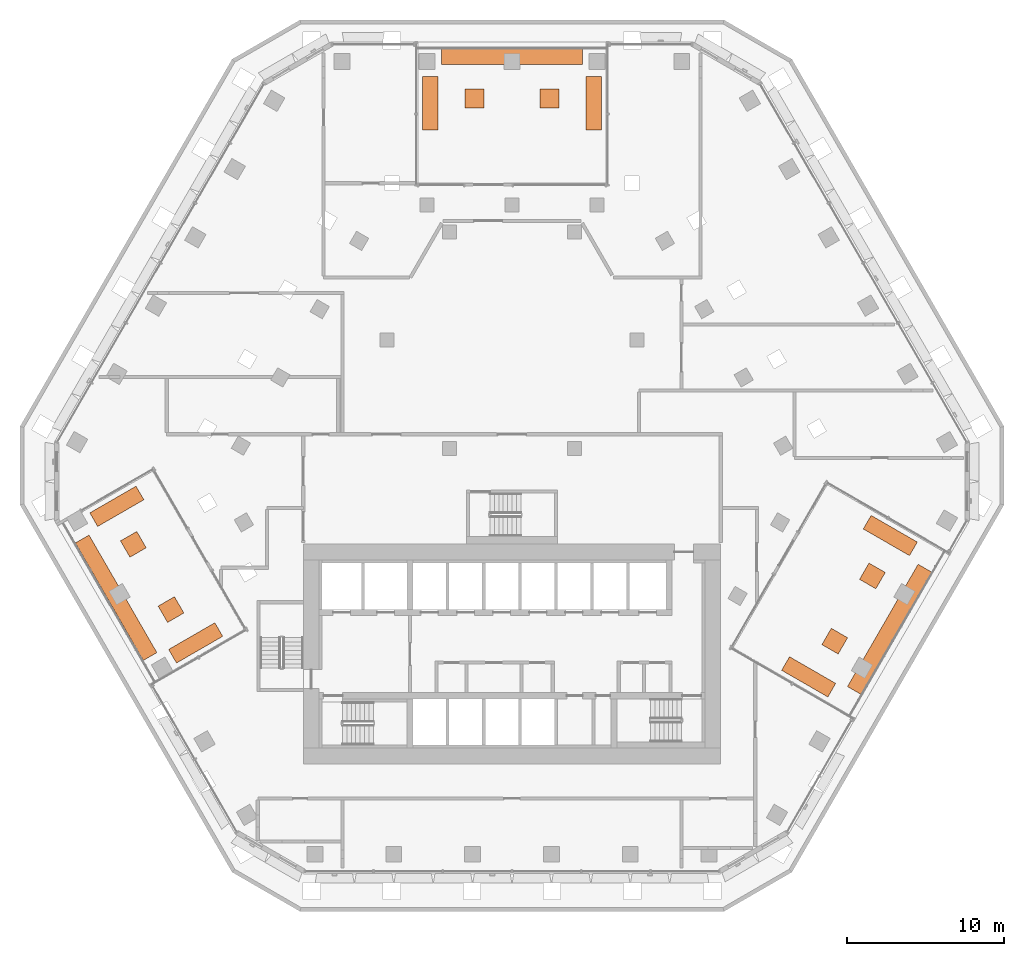
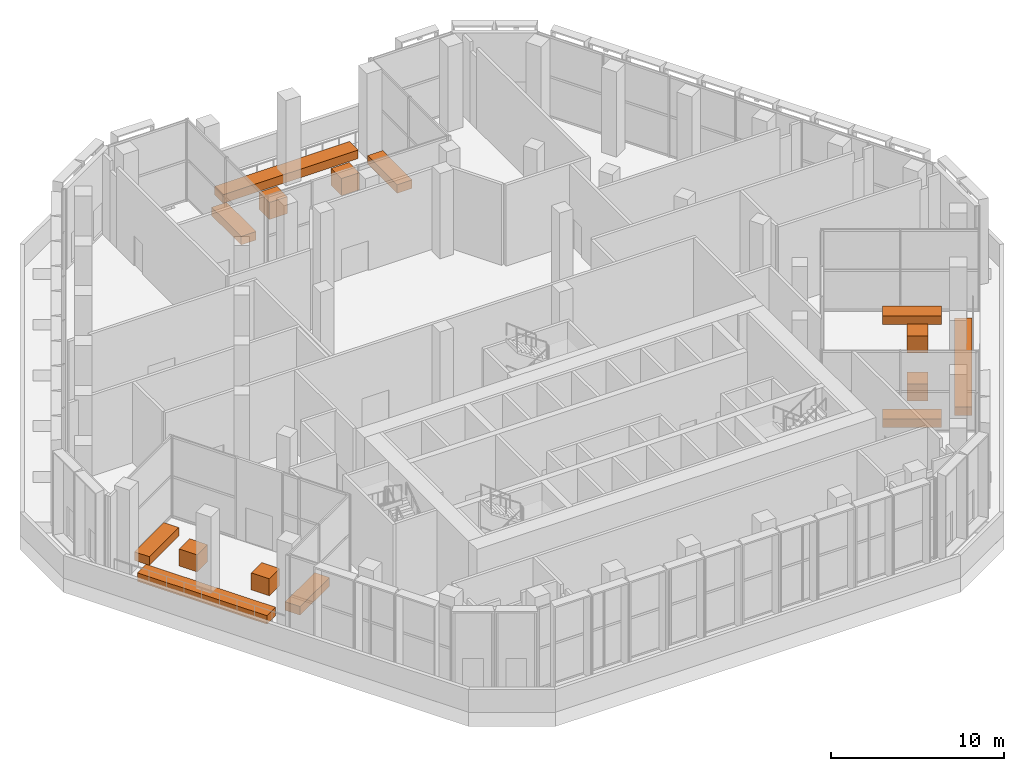
# One storey, part 23 of 23: 15 proxies.
"""IFC4 building model written with IfcOpenShell, lengths in metres."""

from ifc_helpers import new_model, si_unit, direction, frame, origin, place, context, subcontext, project, spatial, polyline, outline, extrude, material, type_object, element, save


model = new_model("IFC4")

# Units and contexts
model_context = context("Model", 3, precision=1e-05, world=origin(), true_north=direction((0.0, 1.0)))
body_context = subcontext(model_context, "Body", "Model", "MODEL_VIEW")
ifc_project = project(units=[si_unit("LENGTHUNIT", "METRE"), si_unit("AREAUNIT", "SQUARE_METRE"), si_unit("VOLUMEUNIT", "CUBIC_METRE"), si_unit("PLANEANGLEUNIT", "RADIAN"), si_unit("MASSUNIT", "GRAM", prefix="KILO")], contexts=[model_context])

# Site, building, storey
site_placement = place(None, origin())
site = spatial("IfcSite", under=ifc_project, at=site_placement, CompositionType="ELEMENT")
building_placement = place(site_placement, origin())
building = spatial("IfcBuilding", under=site, at=building_placement, Name="Beryl Residences", CompositionType="ELEMENT")
storey_placement = place(building_placement, frame((0.0, 0.0, 66.0)))
storey = spatial("IfcBuildingStorey", under=building, at=storey_placement, Name="L20", CompositionType="ELEMENT", Elevation=66.0)

# Proxies
ifc_material_1 = material(Name="Planting soil in precast concrete C40/50 trough", Category="concrete")
building_element_proxy_type_1 = type_object("IfcBuildingElementProxyType", Name="PL1 planter bed 600 mm", PredefinedType="USERDEFINED", material=ifc_material_1)
proxy_1_placement = place(storey_placement, origin())
element("IfcBuildingElementProxy", 1, at=proxy_1_placement, inside=storey, type_object=building_element_proxy_type_1, Name="PL1 planter bed L20 N 1", ObjectType="PLANTER", PredefinedType="USERDEFINED", context=body_context, shape_type="SweptSolid", body=[
    extrude(outline(polyline([(4.5, 26.550048828125), (-4.5, 26.550048828125), (-4.5, 25.550048828125), (4.5, 25.550048828125), (4.5, 26.550048828125)])), origin(), (0.0, 0.0, 1.0), 0.60009765625),
])
proxy_2_placement = place(storey_placement, origin())
element("IfcBuildingElementProxy", 2, at=proxy_2_placement, inside=storey, type_object=building_element_proxy_type_1, Name="PL1 planter bed L20 N 2", ObjectType="PLANTER", PredefinedType="USERDEFINED", context=body_context, shape_type="SweptSolid", body=[
    extrude(outline(polyline([(5.699951171875, 24.800048828125), (4.699951171875, 24.800048828125), (4.699951171875, 21.39990234375), (5.699951171875, 21.39990234375), (5.699951171875, 24.800048828125)])), origin(), (0.0, 0.0, 1.0), 0.60009765625),
])
proxy_3_placement = place(storey_placement, origin())
element("IfcBuildingElementProxy", 3, at=proxy_3_placement, inside=storey, type_object=building_element_proxy_type_1, Name="PL1 planter bed L20 N 3", ObjectType="PLANTER", PredefinedType="USERDEFINED", context=body_context, shape_type="SweptSolid", body=[
    extrude(outline(polyline([(-4.699951171875, 24.800048828125), (-5.699951171875, 24.800048828125), (-5.699951171875, 21.39990234375), (-4.699951171875, 21.39990234375), (-4.699951171875, 24.800048828125)])), origin(), (0.0, 0.0, 1.0), 0.60009765625),
])
proxy_4_placement = place(storey_placement, origin())
element("IfcBuildingElementProxy", 4, at=proxy_4_placement, inside=storey, type_object=building_element_proxy_type_1, Name="PL1 planter bed L20 SW 1", ObjectType="PLANTER", PredefinedType="USERDEFINED", context=body_context, shape_type="SweptSolid", body=[
    extrude(outline(polyline([(-27.81689453125, -4.919921875), (-23.492919921875, -12.408935546875), (-22.626953125, -11.908935546875), (-26.950927734375, -4.419921875), (-27.81689453125, -4.919921875)])), origin(), (0.0, 0.0, 1.0), 0.60009765625),
])
proxy_5_placement = place(storey_placement, origin())
element("IfcBuildingElementProxy", 5, at=proxy_5_placement, inside=storey, type_object=building_element_proxy_type_1, Name="PL1 planter bed L20 SW 2", ObjectType="PLANTER", PredefinedType="USERDEFINED", context=body_context, shape_type="SweptSolid", body=[
    extrude(outline(polyline([(-26.902099609375, -3.006103515625), (-26.402099609375, -3.8720703125), (-23.45703125, -2.172119140625), (-23.95703125, -1.305908203125), (-26.902099609375, -3.006103515625)])), origin(), (0.0, 0.0, 1.0), 0.60009765625),
])
proxy_6_placement = place(storey_placement, origin())
element("IfcBuildingElementProxy", 6, at=proxy_6_placement, inside=storey, type_object=building_element_proxy_type_1, Name="PL1 planter bed L20 SW 3", ObjectType="PLANTER", PredefinedType="USERDEFINED", context=body_context, shape_type="SweptSolid", body=[
    extrude(outline(polyline([(-21.8779296875, -11.70703125), (-21.3779296875, -12.572998046875), (-18.43310546875, -10.873046875), (-18.93310546875, -10.007080078125), (-21.8779296875, -11.70703125)])), origin(), (0.0, 0.0, 1.0), 0.60009765625),
])
proxy_7_placement = place(storey_placement, origin())
element("IfcBuildingElementProxy", 7, at=proxy_7_placement, inside=storey, type_object=building_element_proxy_type_1, Name="PL1 planter bed L20 SE 1", ObjectType="PLANTER", PredefinedType="USERDEFINED", context=body_context, shape_type="SweptSolid", body=[
    extrude(outline(polyline([(22.242919921875, -14.573974609375), (26.742919921875, -6.780029296875), (25.876953125, -6.280029296875), (21.376953125, -14.073974609375), (22.242919921875, -14.573974609375)])), origin(), (0.0, 0.0, 1.0), 0.60009765625),
])
proxy_8_placement = place(storey_placement, origin())
element("IfcBuildingElementProxy", 8, at=proxy_8_placement, inside=storey, type_object=building_element_proxy_type_1, Name="PL1 planter bed L20 SE 2", ObjectType="PLANTER", PredefinedType="USERDEFINED", context=body_context, shape_type="SweptSolid", body=[
    extrude(outline(polyline([(20.1279296875, -14.738037109375), (20.6279296875, -13.8720703125), (17.68310546875, -12.172119140625), (17.18310546875, -13.0380859375), (20.1279296875, -14.738037109375)])), origin(), (0.0, 0.0, 1.0), 0.60009765625),
])
proxy_9_placement = place(storey_placement, origin())
element("IfcBuildingElementProxy", 9, at=proxy_9_placement, inside=storey, type_object=building_element_proxy_type_1, Name="PL1 planter bed L20 SE 3", ObjectType="PLANTER", PredefinedType="USERDEFINED", context=body_context, shape_type="SweptSolid", body=[
    extrude(outline(polyline([(25.327880859375, -5.73193359375), (25.827880859375, -4.865966796875), (22.883056640625, -3.166015625), (22.383056640625, -4.031982421875), (25.327880859375, -5.73193359375)])), origin(), (0.0, 0.0, 1.0), 0.60009765625),
])
ifc_material_2 = material(Name="Planting soil in precast concrete C40/50 trough", Category="concrete")
building_element_proxy_type_2 = type_object("IfcBuildingElementProxyType", Name="PL2 tree planter 1200 mm", PredefinedType="USERDEFINED", material=ifc_material_2)
proxy_10_placement = place(storey_placement, origin())
element("IfcBuildingElementProxy", 10, at=proxy_10_placement, inside=storey, type_object=building_element_proxy_type_2, Name="PL2 tree planter L20 N 1", ObjectType="PLANTER", PredefinedType="USERDEFINED", context=body_context, shape_type="SweptSolid", body=[
    extrude(outline(polyline([(3.0, 24.0), (1.800048828125, 24.0), (1.800048828125, 22.800048828125), (3.0, 22.800048828125), (3.0, 24.0)])), origin(), (0.0, 0.0, 1.0), 1.199951171875),
])
proxy_11_placement = place(storey_placement, origin())
element("IfcBuildingElementProxy", 11, at=proxy_11_placement, inside=storey, type_object=building_element_proxy_type_2, Name="PL2 tree planter L20 N 2", ObjectType="PLANTER", PredefinedType="USERDEFINED", context=body_context, shape_type="SweptSolid", body=[
    extrude(outline(polyline([(-1.800048828125, 24.0), (-3.0, 24.0), (-3.0, 22.800048828125), (-1.800048828125, 22.800048828125), (-1.800048828125, 24.0)])), origin(), (0.0, 0.0, 1.0), 1.199951171875),
])
proxy_12_placement = place(storey_placement, origin())
element("IfcBuildingElementProxy", 12, at=proxy_12_placement, inside=storey, type_object=building_element_proxy_type_2, Name="PL2 tree planter L20 SW 1", ObjectType="PLANTER", PredefinedType="USERDEFINED", context=body_context, shape_type="SweptSolid", body=[
    extrude(outline(polyline([(-24.947021484375, -4.791015625), (-24.346923828125, -5.8310546875), (-23.30810546875, -5.23095703125), (-23.907958984375, -4.19091796875), (-24.947021484375, -4.791015625)])), origin(), (0.0, 0.0, 1.0), 1.199951171875),
])
proxy_13_placement = place(storey_placement, origin())
element("IfcBuildingElementProxy", 13, at=proxy_13_placement, inside=storey, type_object=building_element_proxy_type_2, Name="PL2 tree planter L20 SW 2", ObjectType="PLANTER", PredefinedType="USERDEFINED", context=body_context, shape_type="SweptSolid", body=[
    extrude(outline(polyline([(-22.547119140625, -8.947998046875), (-21.947021484375, -9.987060546875), (-20.907958984375, -9.386962890625), (-21.508056640625, -8.347900390625), (-22.547119140625, -8.947998046875)])), origin(), (0.0, 0.0, 1.0), 1.199951171875),
])
proxy_14_placement = place(storey_placement, origin())
element("IfcBuildingElementProxy", 14, at=proxy_14_placement, inside=storey, type_object=building_element_proxy_type_2, Name="PL2 tree planter L20 SE 1", ObjectType="PLANTER", PredefinedType="USERDEFINED", context=body_context, shape_type="SweptSolid", body=[
    extrude(outline(polyline([(20.784912109375, -12.0), (21.385009765625, -10.9609375), (20.345947265625, -10.361083984375), (19.74609375, -11.39990234375), (20.784912109375, -12.0)])), origin(), (0.0, 0.0, 1.0), 1.199951171875),
])
proxy_15_placement = place(storey_placement, origin())
element("IfcBuildingElementProxy", 15, at=proxy_15_placement, inside=storey, type_object=building_element_proxy_type_2, Name="PL2 tree planter L20 SE 2", ObjectType="PLANTER", PredefinedType="USERDEFINED", context=body_context, shape_type="SweptSolid", body=[
    extrude(outline(polyline([(23.18505859375, -7.843017578125), (23.784912109375, -6.803955078125), (22.74609375, -6.2041015625), (22.14599609375, -7.242919921875), (23.18505859375, -7.843017578125)])), origin(), (0.0, 0.0, 1.0), 1.199951171875),
])

save(model, "model.ifc")
